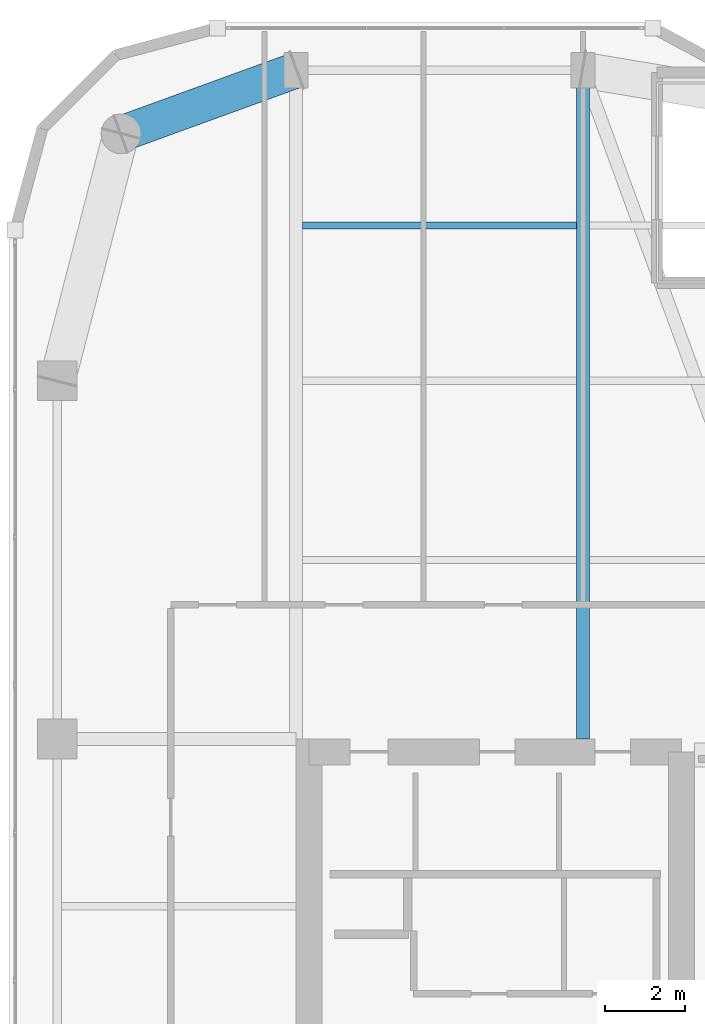
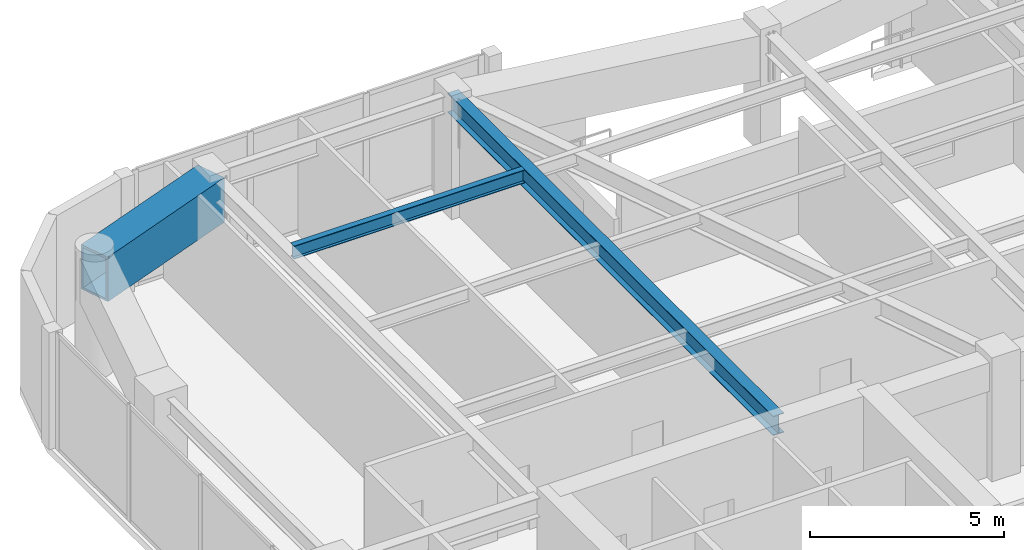
# One storey, part 9 of 22: 3 beams.
"""IFC4 building model written with IfcOpenShell, lengths in metres."""

from ifc_helpers import new_model, si_unit, direction, frame, origin, origin_2d, place, context, subcontext, project, spatial, hollow_rectangle, i_section, extrude, material, material_profile, profile_set, type_object, element, save


model = new_model("IFC4")

# Units and contexts
model_context = context("Model", 3, precision=1e-05, world=origin(), true_north=direction((0.0, 1.0)))
body_context = subcontext(model_context, "Body", "Model", "MODEL_VIEW")
ifc_project = project(units=[si_unit("LENGTHUNIT", "METRE"), si_unit("AREAUNIT", "SQUARE_METRE"), si_unit("VOLUMEUNIT", "CUBIC_METRE"), si_unit("PLANEANGLEUNIT", "RADIAN"), si_unit("MASSUNIT", "GRAM", prefix="KILO")], contexts=[model_context])

# Site, building, storey
site_placement = place(None, origin())
site = spatial("IfcSite", under=ifc_project, at=site_placement, CompositionType="ELEMENT")
building_placement = place(site_placement, origin())
building = spatial("IfcBuilding", under=site, at=building_placement, Name="Kiyonajd Concourse Tower", CompositionType="ELEMENT")
storey_placement = place(building_placement, frame((0.0, 0.0, 243.300048828125)))
storey = spatial("IfcBuildingStorey", under=building, at=storey_placement, Name="L61", CompositionType="ELEMENT", Elevation=243.300048828125)

# Beams
ifc_material_1 = material(Name="Steel ASTM A992 Grade 50", Category="steel")
ifc_material_profile_1 = material_profile(ifc_material_1, i_section(OverallWidth=0.180908203125, OverallDepth=0.4169921875, WebThickness=0.010986328125, FlangeThickness=0.018310546875, at=origin_2d()), Name="W410X85")
ifc_profile_set_1 = profile_set([ifc_material_profile_1], Name="Steel ASTM A992 Grade 50")
beam_type_1 = type_object("IfcBeamType", Name="BM-JST-410", PredefinedType="JOIST", material=ifc_profile_set_1)
beam_1_placement = place(storey_placement, frame((32.56201171875, 57.300048828125, 3.471435546875), z_axis=(1.0, 0.0, 0.0), x_axis=(0.0, 1.0, 0.0)))
element("IfcBeam", 1, at=beam_1_placement, inside=storey, type_object=beam_type_1, Name="L61 Secondary Floor Joist", PredefinedType="JOIST", context=body_context, shape_type="SweptSolid", body=[
    extrude(i_section(OverallWidth=0.180908203125, OverallDepth=0.4169921875, WebThickness=0.010986328125, FlangeThickness=0.018310546875, at=origin_2d()), origin(), (0.0, 0.0, 1.0), 6.8759765625),
])
ifc_material_profile_2 = material_profile(ifc_material_1, i_section(OverallWidth=0.323974609375, OverallDepth=0.611083984375, WebThickness=0.0126953125, FlangeThickness=0.01904296875, at=origin_2d()), Name="W610X155")
ifc_profile_set_2 = profile_set([ifc_material_profile_2], Name="Steel ASTM A992 Grade 50")
beam_type_2 = type_object("IfcBeamType", Name="BM-TWR-610B", PredefinedType="BEAM", material=ifc_profile_set_2)
beam_2_placement = place(storey_placement, frame((39.60009765625, 44.39990234375, 3.37451171875), z_axis=(0.0, 1.0, 0.0), x_axis=(-1.0, 0.0, 0.0)))
element("IfcBeam", 2, at=beam_2_placement, inside=storey, type_object=beam_type_2, Name="L61 North Lease Girder", PredefinedType="BEAM", context=body_context, shape_type="SweptSolid", body=[
    extrude(i_section(OverallWidth=0.323974609375, OverallDepth=0.611083984375, WebThickness=0.0126953125, FlangeThickness=0.01904296875, at=origin_2d()), origin(), (0.0, 0.0, 1.0), 16.800048828125),
])
ifc_material_2 = material(Name="Steel ASTM A572 Grade 50", Category="steel")
ifc_material_profile_3 = material_profile(ifc_material_2, hollow_rectangle(XDim=0.89990234375, YDim=1.39990234375, WallThickness=0.070068359375, at=origin_2d()), Name="BOX-1400x900x70")
ifc_profile_set_3 = profile_set([ifc_material_profile_3], Name="Steel ASTM A572 Grade 50")
beam_type_3 = type_object("IfcBeamType", Name="BM-XFER-1400", PredefinedType="BEAM", material=ifc_profile_set_3)
beam_3_placement = place(storey_placement, frame((32.39990234375, 61.199951171875, 2.97998046875), z_axis=(-0.939801036019, -0.341722127901, 0.0), x_axis=(0.341722127901, -0.939801036019, 0.0)))
element("IfcBeam", 3, at=beam_3_placement, inside=storey, type_object=beam_type_3, Name="L61 Perimeter Bundled Tube Spandrel", PredefinedType="BEAM", context=body_context, shape_type="SweptSolid", body=[
    extrude(hollow_rectangle(XDim=0.89990234375, YDim=1.39990234375, WallThickness=0.070068359375, at=origin_2d()), origin(), (0.0, 0.0, 1.0), 4.681640625),
])

save(model, "model.ifc")
